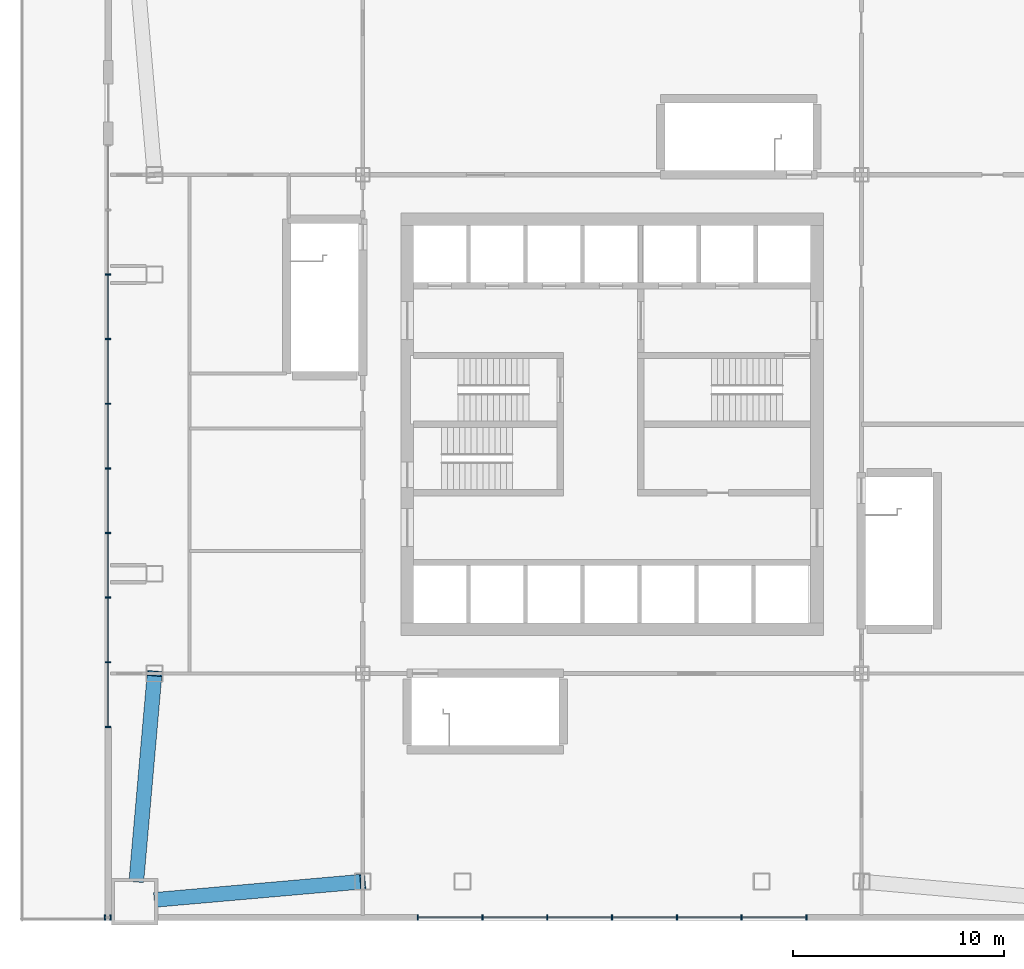
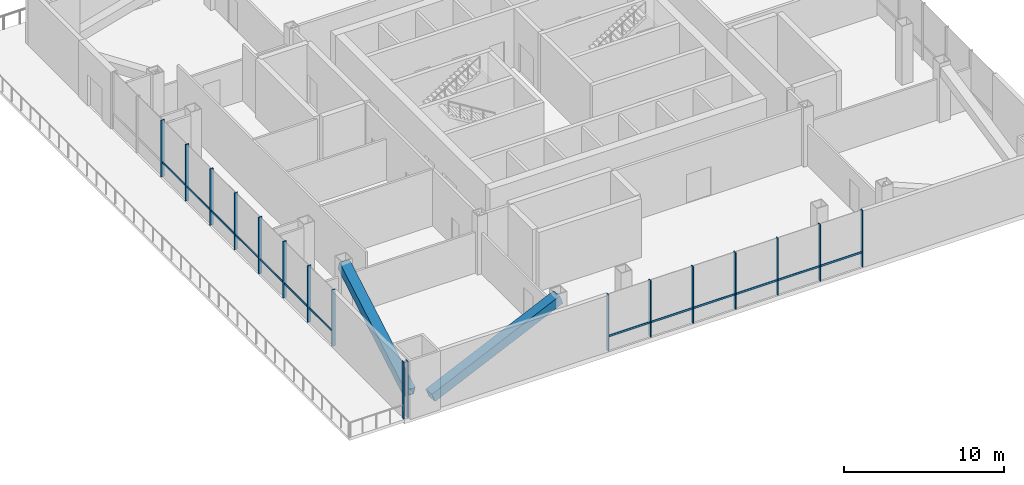
# One storey, part 2 of 15: 32 members, 3 elements without a shape of their own.
"""IFC4 building model written with IfcOpenShell, lengths in metres."""

from ifc_helpers import new_model, si_unit, direction, frame, origin, origin_2d, place, context, subcontext, project, spatial, rectangle, hollow_rectangle, extrude, material, material_profile, profile_set, type_object, element, aggregate, save


model = new_model("IFC4")

# Units and contexts
model_context = context("Model", 3, precision=1e-05, world=origin(), true_north=direction((0.0, 1.0)))
body_context = subcontext(model_context, "Body", "Model", "MODEL_VIEW")
ifc_project = project(units=[si_unit("LENGTHUNIT", "METRE"), si_unit("AREAUNIT", "SQUARE_METRE"), si_unit("VOLUMEUNIT", "CUBIC_METRE"), si_unit("PLANEANGLEUNIT", "RADIAN"), si_unit("MASSUNIT", "GRAM", prefix="KILO")], contexts=[model_context])

# Site, building, storey
site_placement = place(None, origin())
site = spatial("IfcSite", under=ifc_project, at=site_placement, CompositionType="ELEMENT")
building_placement = place(site_placement, origin())
building = spatial("IfcBuilding", under=site, at=building_placement, Name="Turquesa Mirador Hotel Tower", CompositionType="ELEMENT")
storey_placement = place(building_placement, frame((0.0, 0.0, 20.5)))
storey = spatial("IfcBuildingStorey", under=building, at=storey_placement, Name="L04", CompositionType="ELEMENT", Elevation=20.5)

# Curtain wall, members
ifc_material_1 = material(Name="Aluminium extrusion", Category="aluminium")
curtain_wall_type = type_object("IfcCurtainWallType", Name="CW-3 PODIUM UPPER CURTAIN WALL", PredefinedType="USERDEFINED", material=ifc_material_1)
curtain_wall_1_placement = place(storey_placement, origin())
curtain_wall_1 = element("IfcCurtainWall", 1, at=curtain_wall_1_placement, inside=storey, type_object=curtain_wall_type, Name="CW-3 PODIUM UPPER CURTAIN WALL L04", ObjectType="CURTAIN WALL", PredefinedType="USERDEFINED")
ifc_material_2 = material(Name="Aluminium extrusion", Category="aluminium")
ifc_material_profile_1 = material_profile(ifc_material_2, rectangle(XDim=0.06494140625, YDim=0.25, at=origin_2d()), Name="MULLION 65X250")
ifc_profile_set_1 = profile_set([ifc_material_profile_1], Name="Aluminium extrusion")
member_type_1 = type_object("IfcMemberType", Name="CW MULLION 65X250", PredefinedType="MULLION", material=ifc_profile_set_1)
member_1_placement = place(storey_placement, frame((31.0, 21.64990234375, 0.0), z_axis=(0.0, 0.0, 1.0), x_axis=(1.0, 0.0, 0.0)))
member_1 = element("IfcMember", 2, at=member_1_placement, type_object=member_type_1, Name="Mullion", PredefinedType="MULLION", context=body_context, shape_type="SweptSolid", body=[
    extrude(rectangle(XDim=0.06494140625, YDim=0.25, at=origin_2d()), origin(), (0.0, 0.0, 1.0), 4.330078125),
])
member_2_placement = place(storey_placement, frame((31.265380859375, 21.64990234375, 0.0), z_axis=(0.0, 0.0, 1.0), x_axis=(1.0, 0.0, 0.0)))
member_2 = element("IfcMember", 3, at=member_2_placement, type_object=member_type_1, Name="Mullion", PredefinedType="MULLION", context=body_context, shape_type="SweptSolid", body=[
    extrude(rectangle(XDim=0.06494140625, YDim=0.25, at=origin_2d()), origin(), (0.0, 0.0, 1.0), 4.330078125),
])
aggregate(curtain_wall_1, [member_1, member_2])

curtain_wall_2_placement = place(storey_placement, origin())
curtain_wall_2 = element("IfcCurtainWall", 4, at=curtain_wall_2_placement, inside=storey, type_object=curtain_wall_type, Name="CW-3 PODIUM UPPER CURTAIN WALL L04", ObjectType="CURTAIN WALL", PredefinedType="USERDEFINED")
member_3_placement = place(storey_placement, frame((45.800537109375, 21.64990234375, 0.0), z_axis=(0.0, 0.0, 1.0), x_axis=(1.0, 0.0, 0.0)))
member_3 = element("IfcMember", 5, at=member_3_placement, type_object=member_type_1, Name="Mullion", PredefinedType="MULLION", context=body_context, shape_type="SweptSolid", body=[
    extrude(rectangle(XDim=0.06494140625, YDim=0.25, at=origin_2d()), origin(), (0.0, 0.0, 1.0), 4.330078125),
])
member_4_placement = place(storey_placement, frame((48.866943359375, 21.64990234375, 0.0), z_axis=(0.0, 0.0, 1.0), x_axis=(1.0, 0.0, 0.0)))
member_4 = element("IfcMember", 6, at=member_4_placement, type_object=member_type_1, Name="Mullion", PredefinedType="MULLION", context=body_context, shape_type="SweptSolid", body=[
    extrude(rectangle(XDim=0.06494140625, YDim=0.25, at=origin_2d()), origin(), (0.0, 0.0, 1.0), 4.330078125),
])
member_5_placement = place(storey_placement, frame((51.93359375, 21.64990234375, 0.0), z_axis=(0.0, 0.0, 1.0), x_axis=(1.0, 0.0, 0.0)))
member_5 = element("IfcMember", 7, at=member_5_placement, type_object=member_type_1, Name="Mullion", PredefinedType="MULLION", context=body_context, shape_type="SweptSolid", body=[
    extrude(rectangle(XDim=0.06494140625, YDim=0.25, at=origin_2d()), origin(), (0.0, 0.0, 1.0), 4.330078125),
])
member_6_placement = place(storey_placement, frame((55.0, 21.64990234375, 0.0), z_axis=(0.0, 0.0, 1.0), x_axis=(1.0, 0.0, 0.0)))
member_6 = element("IfcMember", 8, at=member_6_placement, type_object=member_type_1, Name="Mullion", PredefinedType="MULLION", context=body_context, shape_type="SweptSolid", body=[
    extrude(rectangle(XDim=0.06494140625, YDim=0.25, at=origin_2d()), origin(), (0.0, 0.0, 1.0), 4.330078125),
])
member_7_placement = place(storey_placement, frame((58.06640625, 21.64990234375, 0.0), z_axis=(0.0, 0.0, 1.0), x_axis=(1.0, 0.0, 0.0)))
member_7 = element("IfcMember", 9, at=member_7_placement, type_object=member_type_1, Name="Mullion", PredefinedType="MULLION", context=body_context, shape_type="SweptSolid", body=[
    extrude(rectangle(XDim=0.06494140625, YDim=0.25, at=origin_2d()), origin(), (0.0, 0.0, 1.0), 4.330078125),
])
member_8_placement = place(storey_placement, frame((61.133056640625, 21.64990234375, 0.0), z_axis=(0.0, 0.0, 1.0), x_axis=(1.0, 0.0, 0.0)))
member_8 = element("IfcMember", 10, at=member_8_placement, type_object=member_type_1, Name="Mullion", PredefinedType="MULLION", context=body_context, shape_type="SweptSolid", body=[
    extrude(rectangle(XDim=0.06494140625, YDim=0.25, at=origin_2d()), origin(), (0.0, 0.0, 1.0), 4.330078125),
])
member_9_placement = place(storey_placement, frame((64.199462890625, 21.64990234375, 0.0), z_axis=(0.0, 0.0, 1.0), x_axis=(1.0, 0.0, 0.0)))
member_9 = element("IfcMember", 11, at=member_9_placement, type_object=member_type_1, Name="Mullion", PredefinedType="MULLION", context=body_context, shape_type="SweptSolid", body=[
    extrude(rectangle(XDim=0.06494140625, YDim=0.25, at=origin_2d()), origin(), (0.0, 0.0, 1.0), 4.330078125),
])

curtain_wall_3_placement = place(storey_placement, origin())
curtain_wall_3 = element("IfcCurtainWall", 12, at=curtain_wall_3_placement, inside=storey, type_object=curtain_wall_type, Name="CW-3 PODIUM UPPER CURTAIN WALL L04", ObjectType="CURTAIN WALL", PredefinedType="USERDEFINED")
member_10_placement = place(storey_placement, frame((31.14990234375, 52.083251953125, 0.0), z_axis=(0.0, 0.0, 1.0), x_axis=(0.0, -1.0, 0.0)))
member_10 = element("IfcMember", 13, at=member_10_placement, type_object=member_type_1, Name="Mullion", PredefinedType="MULLION", context=body_context, shape_type="SweptSolid", body=[
    extrude(rectangle(XDim=0.06494140625, YDim=0.25, at=origin_2d()), origin(), (0.0, 0.0, 1.0), 4.330078125),
])
member_11_placement = place(storey_placement, frame((31.14990234375, 49.02490234375, 0.0), z_axis=(0.0, 0.0, 1.0), x_axis=(0.0, -1.0, 0.0)))
member_11 = element("IfcMember", 14, at=member_11_placement, type_object=member_type_1, Name="Mullion", PredefinedType="MULLION", context=body_context, shape_type="SweptSolid", body=[
    extrude(rectangle(XDim=0.06494140625, YDim=0.25, at=origin_2d()), origin(), (0.0, 0.0, 1.0), 4.330078125),
])
member_12_placement = place(storey_placement, frame((31.14990234375, 45.966552734375, 0.0), z_axis=(0.0, 0.0, 1.0), x_axis=(0.0, -1.0, 0.0)))
member_12 = element("IfcMember", 15, at=member_12_placement, type_object=member_type_1, Name="Mullion", PredefinedType="MULLION", context=body_context, shape_type="SweptSolid", body=[
    extrude(rectangle(XDim=0.06494140625, YDim=0.25, at=origin_2d()), origin(), (0.0, 0.0, 1.0), 4.330078125),
])
member_13_placement = place(storey_placement, frame((31.14990234375, 42.908447265625, 0.0), z_axis=(0.0, 0.0, 1.0), x_axis=(0.0, -1.0, 0.0)))
member_13 = element("IfcMember", 16, at=member_13_placement, type_object=member_type_1, Name="Mullion", PredefinedType="MULLION", context=body_context, shape_type="SweptSolid", body=[
    extrude(rectangle(XDim=0.06494140625, YDim=0.25, at=origin_2d()), origin(), (0.0, 0.0, 1.0), 4.330078125),
])
member_14_placement = place(storey_placement, frame((31.14990234375, 39.85009765625, 0.0), z_axis=(0.0, 0.0, 1.0), x_axis=(0.0, -1.0, 0.0)))
member_14 = element("IfcMember", 17, at=member_14_placement, type_object=member_type_1, Name="Mullion", PredefinedType="MULLION", context=body_context, shape_type="SweptSolid", body=[
    extrude(rectangle(XDim=0.06494140625, YDim=0.25, at=origin_2d()), origin(), (0.0, 0.0, 1.0), 4.330078125),
])
member_15_placement = place(storey_placement, frame((31.14990234375, 36.791748046875, 0.0), z_axis=(0.0, 0.0, 1.0), x_axis=(0.0, -1.0, 0.0)))
member_15 = element("IfcMember", 18, at=member_15_placement, type_object=member_type_1, Name="Mullion", PredefinedType="MULLION", context=body_context, shape_type="SweptSolid", body=[
    extrude(rectangle(XDim=0.06494140625, YDim=0.25, at=origin_2d()), origin(), (0.0, 0.0, 1.0), 4.330078125),
])
member_16_placement = place(storey_placement, frame((31.14990234375, 33.7333984375, 0.0), z_axis=(0.0, 0.0, 1.0), x_axis=(0.0, -1.0, 0.0)))
member_16 = element("IfcMember", 19, at=member_16_placement, type_object=member_type_1, Name="Mullion", PredefinedType="MULLION", context=body_context, shape_type="SweptSolid", body=[
    extrude(rectangle(XDim=0.06494140625, YDim=0.25, at=origin_2d()), origin(), (0.0, 0.0, 1.0), 4.330078125),
])
member_17_placement = place(storey_placement, frame((31.14990234375, 30.675048828125, 0.0), z_axis=(0.0, 0.0, 1.0), x_axis=(0.0, -1.0, 0.0)))
member_17 = element("IfcMember", 20, at=member_17_placement, type_object=member_type_1, Name="Mullion", PredefinedType="MULLION", context=body_context, shape_type="SweptSolid", body=[
    extrude(rectangle(XDim=0.06494140625, YDim=0.25, at=origin_2d()), origin(), (0.0, 0.0, 1.0), 4.330078125),
])

# Member
ifc_material_3 = material(Name="Aluminium extrusion", Category="aluminium")
ifc_material_profile_2 = material_profile(ifc_material_3, rectangle(XDim=0.06494140625, YDim=0.14990234375, at=origin_2d()), Name="TRANSOM 65X150")
ifc_profile_set_2 = profile_set([ifc_material_profile_2], Name="Aluminium extrusion")
member_type_2 = type_object("IfcMemberType", Name="CW TRANSOM 65X150", PredefinedType="USERDEFINED", material=ifc_profile_set_2)
member_18_placement = place(storey_placement, frame((45.8330078125, 21.64990234375, 1.10009765625), z_axis=(1.0, 0.0, 0.0), x_axis=(0.0, 1.0, 0.0)))
member_18 = element("IfcMember", 21, at=member_18_placement, type_object=member_type_2, Name="Transom", ObjectType="TRANSOM", PredefinedType="USERDEFINED", context=body_context, shape_type="SweptSolid", body=[
    extrude(rectangle(XDim=0.06494140625, YDim=0.14990234375, at=origin_2d()), origin(), (0.0, 0.0, 1.0), 3.00146484375),
])

member_19_placement = place(storey_placement, frame((48.8994140625, 21.64990234375, 1.10009765625), z_axis=(1.0, 0.0, 0.0), x_axis=(0.0, 1.0, 0.0)))
member_19 = element("IfcMember", 22, at=member_19_placement, type_object=member_type_2, Name="Transom", ObjectType="TRANSOM", PredefinedType="USERDEFINED", context=body_context, shape_type="SweptSolid", body=[
    extrude(rectangle(XDim=0.06494140625, YDim=0.14990234375, at=origin_2d()), origin(), (0.0, 0.0, 1.0), 3.00146484375),
])

member_20_placement = place(storey_placement, frame((51.966064453125, 21.64990234375, 1.10009765625), z_axis=(1.0, 0.0, 0.0), x_axis=(0.0, 1.0, 0.0)))
member_20 = element("IfcMember", 23, at=member_20_placement, type_object=member_type_2, Name="Transom", ObjectType="TRANSOM", PredefinedType="USERDEFINED", context=body_context, shape_type="SweptSolid", body=[
    extrude(rectangle(XDim=0.06494140625, YDim=0.14990234375, at=origin_2d()), origin(), (0.0, 0.0, 1.0), 3.00146484375),
])

member_21_placement = place(storey_placement, frame((55.032470703125, 21.64990234375, 1.10009765625), z_axis=(1.0, 0.0, 0.0), x_axis=(0.0, 1.0, 0.0)))
member_21 = element("IfcMember", 24, at=member_21_placement, type_object=member_type_2, Name="Transom", ObjectType="TRANSOM", PredefinedType="USERDEFINED", context=body_context, shape_type="SweptSolid", body=[
    extrude(rectangle(XDim=0.06494140625, YDim=0.14990234375, at=origin_2d()), origin(), (0.0, 0.0, 1.0), 3.00146484375),
])

member_22_placement = place(storey_placement, frame((58.09912109375, 21.64990234375, 1.10009765625), z_axis=(1.0, 0.0, 0.0), x_axis=(0.0, 1.0, 0.0)))
member_22 = element("IfcMember", 25, at=member_22_placement, type_object=member_type_2, Name="Transom", ObjectType="TRANSOM", PredefinedType="USERDEFINED", context=body_context, shape_type="SweptSolid", body=[
    extrude(rectangle(XDim=0.06494140625, YDim=0.14990234375, at=origin_2d()), origin(), (0.0, 0.0, 1.0), 3.00146484375),
])

member_23_placement = place(storey_placement, frame((61.16552734375, 21.64990234375, 1.10009765625), z_axis=(1.0, 0.0, 0.0), x_axis=(0.0, 1.0, 0.0)))
member_23 = element("IfcMember", 26, at=member_23_placement, type_object=member_type_2, Name="Transom", ObjectType="TRANSOM", PredefinedType="USERDEFINED", context=body_context, shape_type="SweptSolid", body=[
    extrude(rectangle(XDim=0.06494140625, YDim=0.14990234375, at=origin_2d()), origin(), (0.0, 0.0, 1.0), 3.00146484375),
])

aggregate(curtain_wall_2, [member_3, member_4, member_5, member_6, member_7, member_8, member_9, member_18, member_19, member_20, member_21, member_22, member_23])

member_24_placement = place(storey_placement, frame((31.14990234375, 52.05078125, 1.10009765625), z_axis=(0.0, -1.0, 0.0), x_axis=(1.0, 0.0, 0.0)))
member_24 = element("IfcMember", 27, at=member_24_placement, type_object=member_type_2, Name="Transom", ObjectType="TRANSOM", PredefinedType="USERDEFINED", context=body_context, shape_type="SweptSolid", body=[
    extrude(rectangle(XDim=0.06494140625, YDim=0.14990234375, at=origin_2d()), origin(), (0.0, 0.0, 1.0), 2.9931640625),
])

member_25_placement = place(storey_placement, frame((31.14990234375, 48.992431640625, 1.10009765625), z_axis=(0.0, -1.0, 0.0), x_axis=(1.0, 0.0, 0.0)))
member_25 = element("IfcMember", 28, at=member_25_placement, type_object=member_type_2, Name="Transom", ObjectType="TRANSOM", PredefinedType="USERDEFINED", context=body_context, shape_type="SweptSolid", body=[
    extrude(rectangle(XDim=0.06494140625, YDim=0.14990234375, at=origin_2d()), origin(), (0.0, 0.0, 1.0), 2.9931640625),
])

member_26_placement = place(storey_placement, frame((31.14990234375, 45.93408203125, 1.10009765625), z_axis=(0.0, -1.0, 0.0), x_axis=(1.0, 0.0, 0.0)))
member_26 = element("IfcMember", 29, at=member_26_placement, type_object=member_type_2, Name="Transom", ObjectType="TRANSOM", PredefinedType="USERDEFINED", context=body_context, shape_type="SweptSolid", body=[
    extrude(rectangle(XDim=0.06494140625, YDim=0.14990234375, at=origin_2d()), origin(), (0.0, 0.0, 1.0), 2.9931640625),
])

member_27_placement = place(storey_placement, frame((31.14990234375, 42.875732421875, 1.10009765625), z_axis=(0.0, -1.0, 0.0), x_axis=(1.0, 0.0, 0.0)))
member_27 = element("IfcMember", 30, at=member_27_placement, type_object=member_type_2, Name="Transom", ObjectType="TRANSOM", PredefinedType="USERDEFINED", context=body_context, shape_type="SweptSolid", body=[
    extrude(rectangle(XDim=0.06494140625, YDim=0.14990234375, at=origin_2d()), origin(), (0.0, 0.0, 1.0), 2.9931640625),
])

member_28_placement = place(storey_placement, frame((31.14990234375, 39.8173828125, 1.10009765625), z_axis=(0.0, -1.0, 0.0), x_axis=(1.0, 0.0, 0.0)))
member_28 = element("IfcMember", 31, at=member_28_placement, type_object=member_type_2, Name="Transom", ObjectType="TRANSOM", PredefinedType="USERDEFINED", context=body_context, shape_type="SweptSolid", body=[
    extrude(rectangle(XDim=0.06494140625, YDim=0.14990234375, at=origin_2d()), origin(), (0.0, 0.0, 1.0), 2.9931640625),
])

member_29_placement = place(storey_placement, frame((31.14990234375, 36.75927734375, 1.10009765625), z_axis=(0.0, -1.0, 0.0), x_axis=(1.0, 0.0, 0.0)))
member_29 = element("IfcMember", 32, at=member_29_placement, type_object=member_type_2, Name="Transom", ObjectType="TRANSOM", PredefinedType="USERDEFINED", context=body_context, shape_type="SweptSolid", body=[
    extrude(rectangle(XDim=0.06494140625, YDim=0.14990234375, at=origin_2d()), origin(), (0.0, 0.0, 1.0), 2.993408203125),
])

member_30_placement = place(storey_placement, frame((31.14990234375, 33.700927734375, 1.10009765625), z_axis=(0.0, -1.0, 0.0), x_axis=(1.0, 0.0, 0.0)))
member_30 = element("IfcMember", 33, at=member_30_placement, type_object=member_type_2, Name="Transom", ObjectType="TRANSOM", PredefinedType="USERDEFINED", context=body_context, shape_type="SweptSolid", body=[
    extrude(rectangle(XDim=0.06494140625, YDim=0.14990234375, at=origin_2d()), origin(), (0.0, 0.0, 1.0), 2.993408203125),
])

aggregate(curtain_wall_3, [member_10, member_11, member_12, member_13, member_14, member_15, member_16, member_17, member_24, member_25, member_26, member_27, member_28, member_29, member_30])

# Members
ifc_material_4 = material(Name="Steel ASTM A572 Grade 50", Category="steel")
ifc_material_profile_3 = material_profile(ifc_material_4, hollow_rectangle(XDim=0.699951171875, YDim=0.699951171875, WallThickness=0.06005859375, at=origin_2d()), Name="BOX700X700X60")
ifc_profile_set_3 = profile_set([ifc_material_profile_3], Name="Steel ASTM A572 Grade 50")
member_type_3 = type_object("IfcMemberType", Name="PODIUM BRACE BOX700X700X60", PredefinedType="BRACE", material=ifc_profile_set_3)
for number, where, z_axis, x_axis, name in (
    (34, (33.449951171875, 22.492431640625, 0.386962890625), (0.935134607955, 0.082259812644, 0.344610777876), (-0.087627369437, 0.996153323603, 0.0), "Podium brace S"),
    (35, (32.492431640625, 23.449951171875, 0.386962890625), (0.082259812644, 0.935134607955, 0.344610777876), (-0.996153323603, 0.087627369437, 0.0), "Podium brace W"),
):
    element("IfcMember", number, at=place(storey_placement, frame(where, z_axis=z_axis, x_axis=x_axis)), inside=storey, type_object=member_type_3, Name=name, PredefinedType="BRACE", context=body_context, shape_type="SweptSolid", body=[
        extrude(hollow_rectangle(XDim=0.699951171875, YDim=0.699951171875, WallThickness=0.06005859375, at=origin_2d()), origin(), (0.0, 0.0, 1.0), 10.42626953125),
    ])

save(model, "model.ifc")
